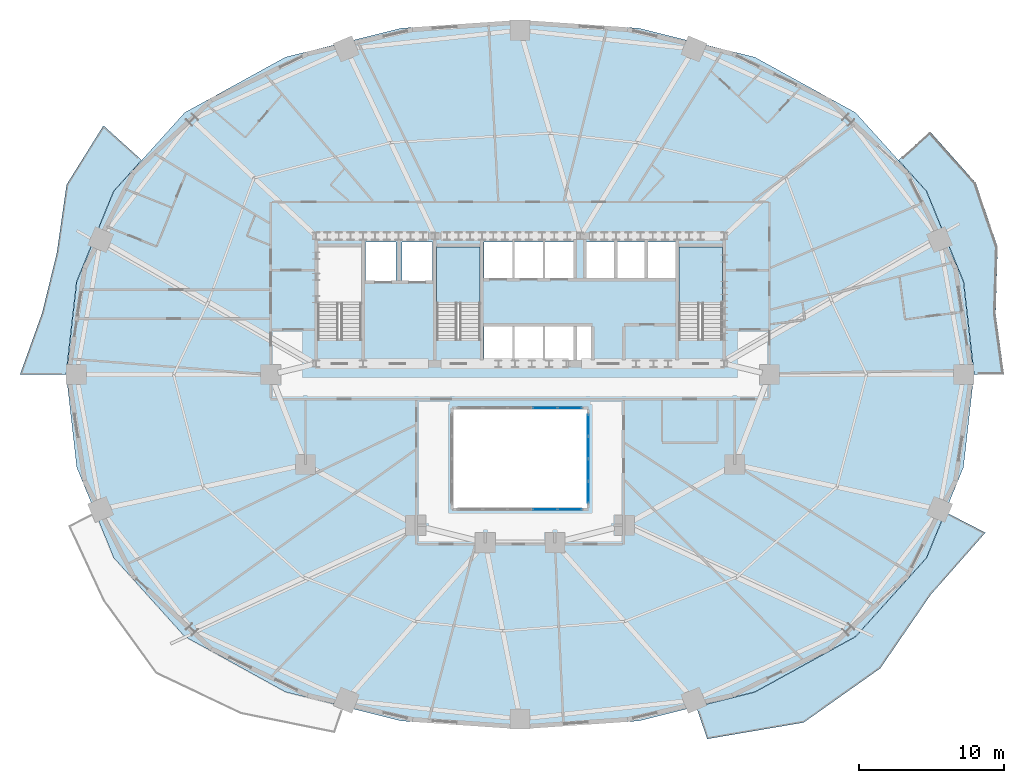
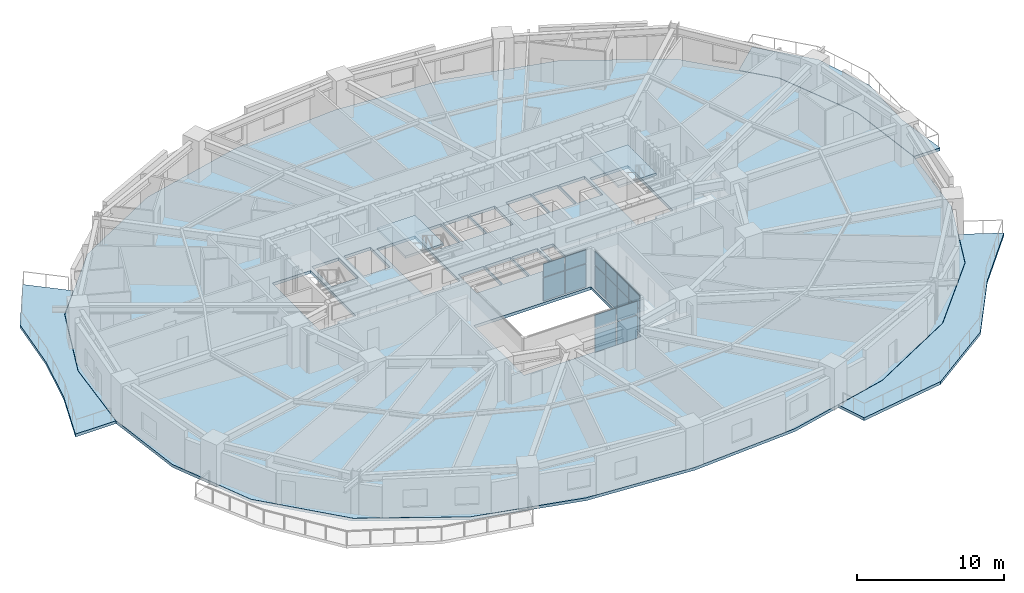
# One storey, part 8 of 17: 16 plates, 6 slabs, 5 elements without a shape of their own.
"""IFC4 building model written with IfcOpenShell, lengths in metres."""

from ifc_helpers import new_model, si_unit, direction, frame, origin, origin_2d, place, context, subcontext, project, spatial, polyline, rectangle, outline, extrude, material, layer, layer_set, type_object, element, aggregate, save


model = new_model("IFC4")

# Units and contexts
model_context = context("Model", 3, precision=1e-05, world=origin(), true_north=direction((0.0, 1.0)))
body_context = subcontext(model_context, "Body", "Model", "MODEL_VIEW")
ifc_project = project(units=[si_unit("LENGTHUNIT", "METRE"), si_unit("AREAUNIT", "SQUARE_METRE"), si_unit("VOLUMEUNIT", "CUBIC_METRE"), si_unit("PLANEANGLEUNIT", "RADIAN"), si_unit("MASSUNIT", "GRAM", prefix="KILO")], contexts=[model_context])

# Site, building, storey
site_placement = place(None, origin())
site = spatial("IfcSite", under=ifc_project, at=site_placement, CompositionType="ELEMENT")
building_placement = place(site_placement, origin())
building = spatial("IfcBuilding", under=site, at=building_placement, Name="Haldorwick Loom Tower", CompositionType="ELEMENT")
storey_placement = place(building_placement, frame((0.0, 0.0, 34.35009765625)))
storey = spatial("IfcBuildingStorey", under=building, at=storey_placement, Name="L08", CompositionType="ELEMENT", Elevation=34.35009765625)

# Curtain wall, plates
ifc_material_1 = material(Name="Thermally Broken Anodized Aluminium Curtain Wall Framing", Category="aluminium")
curtain_wall_type = type_object("IfcCurtainWallType", Name="ARC-CW-03", PredefinedType="NOTDEFINED", material=ifc_material_1)
curtain_wall_1_placement = place(storey_placement, origin())
curtain_wall_1 = element("IfcCurtainWall", 1, at=curtain_wall_1_placement, inside=storey, type_object=curtain_wall_type, Name="L08 Atrium Glazed Screen S", PredefinedType="NOTDEFINED")
ifc_material_2 = material(Name="Triple-Glazed Low-E Argon Insulated Glazing Unit", Category="glass")
ifc_layer_1 = layer(ifc_material_2, 0.04296875, Name="Triple-Glazed Low-E Argon Insulated Glazing Unit", Category="glass")
ifc_layer_set_1 = layer_set([ifc_layer_1], Name="Triple-Glazed Low-E Argon Insulated Glazing Unit")
plate_type = type_object("IfcPlateType", Name="ARC-CWP-03", PredefinedType="CURTAIN_PANEL", material=ifc_layer_set_1)
plate_1_placement = place(storey_placement, frame((39.423583984375, 16.699951171875, 0.06591796875), z_axis=(0.0, 0.0, 1.0), x_axis=(-1.0, 0.0, 0.0)))
plate_1 = element("IfcPlate", 2, at=plate_1_placement, type_object=plate_type, Name="CW-03 panel 1.1", PredefinedType="CURTAIN_PANEL", context=body_context, shape_type="SweptSolid", body=[
    extrude(rectangle(XDim=1.62109375, YDim=0.04296875, at=origin_2d()), origin(), (0.0, 0.0, 1.0), 1.90087890625),
])
plate_2_placement = place(storey_placement, frame((39.423583984375, 16.699951171875, 2.03271484375), z_axis=(0.0, 0.0, 1.0), x_axis=(-1.0, 0.0, 0.0)))
plate_2 = element("IfcPlate", 3, at=plate_2_placement, type_object=plate_type, Name="CW-03 panel 1.2", PredefinedType="CURTAIN_PANEL", context=body_context, shape_type="SweptSolid", body=[
    extrude(rectangle(XDim=1.62109375, YDim=0.04296875, at=origin_2d()), origin(), (0.0, 0.0, 1.0), 1.111083984375),
])
plate_3_placement = place(storey_placement, frame((37.719970703125, 16.699951171875, 0.06591796875), z_axis=(0.0, 0.0, 1.0), x_axis=(-1.0, 0.0, 0.0)))
plate_3 = element("IfcPlate", 4, at=plate_3_placement, type_object=plate_type, Name="CW-03 panel 2.1", PredefinedType="CURTAIN_PANEL", context=body_context, shape_type="SweptSolid", body=[
    extrude(rectangle(XDim=1.654052734375, YDim=0.04296875, at=origin_2d()), origin(), (0.0, 0.0, 1.0), 1.90087890625),
])
plate_4_placement = place(storey_placement, frame((37.719970703125, 16.699951171875, 2.03271484375), z_axis=(0.0, 0.0, 1.0), x_axis=(-1.0, 0.0, 0.0)))
plate_4 = element("IfcPlate", 5, at=plate_4_placement, type_object=plate_type, Name="CW-03 panel 2.2", PredefinedType="CURTAIN_PANEL", context=body_context, shape_type="SweptSolid", body=[
    extrude(rectangle(XDim=1.654052734375, YDim=0.04296875, at=origin_2d()), origin(), (0.0, 0.0, 1.0), 1.111083984375),
])
aggregate(curtain_wall_1, [plate_1, plate_2, plate_3, plate_4])

curtain_wall_2_placement = place(storey_placement, origin())
curtain_wall_2 = element("IfcCurtainWall", 6, at=curtain_wall_2_placement, inside=storey, type_object=curtain_wall_type, Name="L08 Atrium Glazed Screen N", PredefinedType="NOTDEFINED")
plate_5_placement = place(storey_placement, frame((37.719970703125, 23.699951171875, 0.06591796875), z_axis=(0.0, 0.0, 1.0), x_axis=(1.0, 0.0, 0.0)))
plate_5 = element("IfcPlate", 7, at=plate_5_placement, type_object=plate_type, Name="CW-03 panel 4.1", PredefinedType="CURTAIN_PANEL", context=body_context, shape_type="SweptSolid", body=[
    extrude(rectangle(XDim=1.654052734375, YDim=0.04296875, at=origin_2d()), origin(), (0.0, 0.0, 1.0), 1.90087890625),
])
plate_6_placement = place(storey_placement, frame((37.719970703125, 23.699951171875, 2.03271484375), z_axis=(0.0, 0.0, 1.0), x_axis=(1.0, 0.0, 0.0)))
plate_6 = element("IfcPlate", 8, at=plate_6_placement, type_object=plate_type, Name="CW-03 panel 4.2", PredefinedType="CURTAIN_PANEL", context=body_context, shape_type="SweptSolid", body=[
    extrude(rectangle(XDim=1.654052734375, YDim=0.04296875, at=origin_2d()), origin(), (0.0, 0.0, 1.0), 1.111083984375),
])
plate_7_placement = place(storey_placement, frame((39.423583984375, 23.699951171875, 0.06591796875), z_axis=(0.0, 0.0, 1.0), x_axis=(1.0, 0.0, 0.0)))
plate_7 = element("IfcPlate", 9, at=plate_7_placement, type_object=plate_type, Name="CW-03 panel 5.1", PredefinedType="CURTAIN_PANEL", context=body_context, shape_type="SweptSolid", body=[
    extrude(rectangle(XDim=1.62109375, YDim=0.04296875, at=origin_2d()), origin(), (0.0, 0.0, 1.0), 1.90087890625),
])
plate_8_placement = place(storey_placement, frame((39.423583984375, 23.699951171875, 2.03271484375), z_axis=(0.0, 0.0, 1.0), x_axis=(1.0, 0.0, 0.0)))
plate_8 = element("IfcPlate", 10, at=plate_8_placement, type_object=plate_type, Name="CW-03 panel 5.2", PredefinedType="CURTAIN_PANEL", context=body_context, shape_type="SweptSolid", body=[
    extrude(rectangle(XDim=1.62109375, YDim=0.04296875, at=origin_2d()), origin(), (0.0, 0.0, 1.0), 1.111083984375),
])
aggregate(curtain_wall_2, [plate_5, plate_6, plate_7, plate_8])

curtain_wall_3_placement = place(storey_placement, origin())
curtain_wall_3 = element("IfcCurtainWall", 11, at=curtain_wall_3_placement, inside=storey, type_object=curtain_wall_type, Name="L08 Atrium Glazed Screen E", PredefinedType="NOTDEFINED")
plate_9_placement = place(storey_placement, frame((40.699951171875, 22.508544921875, 0.06591796875), z_axis=(0.0, 0.0, 1.0), x_axis=(0.0, -1.0, 0.0)))
plate_9 = element("IfcPlate", 12, at=plate_9_placement, type_object=plate_type, Name="CW-03 panel 1.1", PredefinedType="CURTAIN_PANEL", context=body_context, shape_type="SweptSolid", body=[
    extrude(rectangle(XDim=1.450927734375, YDim=0.04296875, at=origin_2d()), origin(), (0.0, 0.0, 1.0), 1.90087890625),
])
plate_10_placement = place(storey_placement, frame((40.699951171875, 22.508544921875, 2.03271484375), z_axis=(0.0, 0.0, 1.0), x_axis=(0.0, -1.0, 0.0)))
plate_10 = element("IfcPlate", 13, at=plate_10_placement, type_object=plate_type, Name="CW-03 panel 1.2", PredefinedType="CURTAIN_PANEL", context=body_context, shape_type="SweptSolid", body=[
    extrude(rectangle(XDim=1.450927734375, YDim=0.04296875, at=origin_2d()), origin(), (0.0, 0.0, 1.0), 1.111083984375),
])
plate_11_placement = place(storey_placement, frame((40.699951171875, 20.97509765625, 0.06591796875), z_axis=(0.0, 0.0, 1.0), x_axis=(0.0, -1.0, 0.0)))
plate_11 = element("IfcPlate", 14, at=plate_11_placement, type_object=plate_type, Name="CW-03 panel 2.1", PredefinedType="CURTAIN_PANEL", context=body_context, shape_type="SweptSolid", body=[
    extrude(rectangle(XDim=1.48388671875, YDim=0.04296875, at=origin_2d()), origin(), (0.0, 0.0, 1.0), 1.90087890625),
])
plate_12_placement = place(storey_placement, frame((40.699951171875, 20.97509765625, 2.03271484375), z_axis=(0.0, 0.0, 1.0), x_axis=(0.0, -1.0, 0.0)))
plate_12 = element("IfcPlate", 15, at=plate_12_placement, type_object=plate_type, Name="CW-03 panel 2.2", PredefinedType="CURTAIN_PANEL", context=body_context, shape_type="SweptSolid", body=[
    extrude(rectangle(XDim=1.48388671875, YDim=0.04296875, at=origin_2d()), origin(), (0.0, 0.0, 1.0), 1.111083984375),
])
plate_13_placement = place(storey_placement, frame((40.699951171875, 19.425048828125, 0.06591796875), z_axis=(0.0, 0.0, 1.0), x_axis=(0.0, -1.0, 0.0)))
plate_13 = element("IfcPlate", 16, at=plate_13_placement, type_object=plate_type, Name="CW-03 panel 3.1", PredefinedType="CURTAIN_PANEL", context=body_context, shape_type="SweptSolid", body=[
    extrude(rectangle(XDim=1.48388671875, YDim=0.04296875, at=origin_2d()), origin(), (0.0, 0.0, 1.0), 1.90087890625),
])
plate_14_placement = place(storey_placement, frame((40.699951171875, 19.425048828125, 2.03271484375), z_axis=(0.0, 0.0, 1.0), x_axis=(0.0, -1.0, 0.0)))
plate_14 = element("IfcPlate", 17, at=plate_14_placement, type_object=plate_type, Name="CW-03 panel 3.2", PredefinedType="CURTAIN_PANEL", context=body_context, shape_type="SweptSolid", body=[
    extrude(rectangle(XDim=1.48388671875, YDim=0.04296875, at=origin_2d()), origin(), (0.0, 0.0, 1.0), 1.111083984375),
])
plate_15_placement = place(storey_placement, frame((40.699951171875, 17.8916015625, 0.06591796875), z_axis=(0.0, 0.0, 1.0), x_axis=(0.0, -1.0, 0.0)))
plate_15 = element("IfcPlate", 18, at=plate_15_placement, type_object=plate_type, Name="CW-03 panel 4.1", PredefinedType="CURTAIN_PANEL", context=body_context, shape_type="SweptSolid", body=[
    extrude(rectangle(XDim=1.450927734375, YDim=0.04296875, at=origin_2d()), origin(), (0.0, 0.0, 1.0), 1.90087890625),
])
plate_16_placement = place(storey_placement, frame((40.699951171875, 17.8916015625, 2.03271484375), z_axis=(0.0, 0.0, 1.0), x_axis=(0.0, -1.0, 0.0)))
plate_16 = element("IfcPlate", 19, at=plate_16_placement, type_object=plate_type, Name="CW-03 panel 4.2", PredefinedType="CURTAIN_PANEL", context=body_context, shape_type="SweptSolid", body=[
    extrude(rectangle(XDim=1.450927734375, YDim=0.04296875, at=origin_2d()), origin(), (0.0, 0.0, 1.0), 1.111083984375),
])
aggregate(curtain_wall_3, [plate_9, plate_10, plate_11, plate_12, plate_13, plate_14, plate_15, plate_16])

# Slabs
ifc_material_3 = material(Name="Concrete C40 (40 MPa)", Category="concrete")
ifc_layer_2 = layer(ifc_material_3, 0.239990234375, Name="Concrete C40 (40 MPa)", Category="concrete")
ifc_layer_set_2 = layer_set([ifc_layer_2], Name="Concrete C40 (40 MPa)")
slab_type_1 = type_object("IfcSlabType", Name="STR-SLB-BAL240", PredefinedType="FLOOR", material=ifc_layer_set_2)
slab_1_placement = place(storey_placement, frame((0.0, 0.0, -0.239990234375)))
element("IfcSlab", 20, at=slab_1_placement, inside=storey, type_object=slab_type_1, Name="L08 Sinusoidal Balcony Terrace BAL_SE", PredefinedType="FLOOR", context=body_context, shape_type="SweptSolid", body=[
    extrude(outline(polyline([(65.324462890625, 16.517333984375), (64.031494140625, 13.356689453125), (64.031005859375, 13.355712890625), (64.030517578125, 13.3544921875), (64.02978515625, 13.353515625), (64.02880859375, 13.3525390625), (59.13623046875, 7.92333984375), (59.13525390625, 7.922119140625), (59.1337890625, 7.921142578125), (59.13232421875, 7.92041015625), (52.18310546875, 4.09814453125), (52.18212890625, 4.097412109375), (52.180908203125, 4.096923828125), (52.1796875, 4.0966796875), (48.152587890625, 3.09130859375), (48.90283203125, 0.873046875), (55.558837890625, 2.0087890625), (60.8359375, 5.743896484375), (64.298095703125, 10.80224609375), (68.083740234375, 15.09716796875), (65.324462890625, 16.517333984375)])), origin(), (0.0, 0.0, 1.0), 0.239990234375),
])
slab_2_placement = place(storey_placement, frame((0.0, 0.0, -0.239990234375)))
element("IfcSlab", 21, at=slab_2_placement, inside=storey, type_object=slab_type_1, Name="L08 Sinusoidal Balcony Terrace BAL_WNW", PredefinedType="FLOOR", context=body_context, shape_type="SweptSolid", body=[
    extrude(outline(polyline([(4.68896484375, 26.0), (4.689208984375, 26.001708984375), (5.41552734375, 32.40087890625), (5.415771484375, 32.40234375), (5.416015625, 32.40380859375), (5.41650390625, 32.405029296875), (7.968505859375, 38.643310546875), (7.968994140625, 38.644287109375), (7.969482421875, 38.6455078125), (7.97021484375, 38.646484375), (7.97119140625, 38.6474609375), (9.901611328125, 40.789794921875), (7.270751953125, 43.16943359375), (4.729736328125, 39.09912109375), (4.054443359375, 34.3876953125), (3.037353515625, 30.230224609375), (1.515625, 26.0), (4.68896484375, 26.0)])), origin(), (0.0, 0.0, 1.0), 0.239990234375),
])
slab_3_placement = place(storey_placement, frame((0.0, 0.0, -0.239990234375)))
element("IfcSlab", 22, at=slab_3_placement, inside=storey, type_object=slab_type_1, Name="L08 Sinusoidal Balcony Terrace BAL_ENE", PredefinedType="FLOOR", context=body_context, shape_type="SweptSolid", body=[
    extrude(outline(polyline([(62.0986328125, 40.78955078125), (64.02880859375, 38.6474609375), (64.02978515625, 38.646484375), (64.030517578125, 38.6455078125), (64.031005859375, 38.644287109375), (64.031494140625, 38.643310546875), (66.58349609375, 32.405029296875), (66.583984375, 32.40380859375), (66.584228515625, 32.40234375), (66.58447265625, 32.40087890625), (67.310791015625, 26.001708984375), (67.31103515625, 26.0), (69.36767578125, 26.0), (68.79150390625, 30.195556640625), (68.92626953125, 34.795654296875), (67.42822265625, 39.202392578125), (64.275146484375, 42.747314453125), (62.0986328125, 40.78955078125)])), origin(), (0.0, 0.0, 1.0), 0.239990234375),
])

# Stair, slab
stair_type = type_object("IfcStairType", Name="STR-STR-CORE", PredefinedType="HALF_TURN_STAIR", material=ifc_material_3)
stair_1_placement = place(storey_placement, origin())
stair_1 = element("IfcStair", 23, at=stair_1_placement, inside=storey, type_object=stair_type, Name="L08 Exit Stair ST-02", PredefinedType="HALF_TURN_STAIR")
ifc_layer_3 = layer(ifc_material_3, 0.199951171875, Name="Concrete C40 (40 MPa)", Category="concrete")
ifc_layer_set_3 = layer_set([ifc_layer_3], Name="Concrete C40 (40 MPa)")
slab_type_2 = type_object("IfcSlabType", Name="STR-SLB-LAND200", PredefinedType="LANDING", material=ifc_layer_set_3)
slab_4_placement = place(storey_placement, frame((0.0, 0.0, 1.52490234375)))
slab_4 = element("IfcSlab", 24, at=slab_4_placement, type_object=slab_type_2, Name="ST-02 landing 1", PredefinedType="LANDING", context=body_context, shape_type="SweptSolid", body=[
    extrude(outline(polyline([(49.949951171875, 30.919921875), (49.949951171875, 34.800048828125), (46.949951171875, 34.800048828125), (46.949951171875, 30.919921875), (49.949951171875, 30.919921875)])), origin(), (0.0, 0.0, 1.0), 0.199951171875),
])
aggregate(stair_1, [slab_4])

stair_2_placement = place(storey_placement, origin())
stair_2 = element("IfcStair", 25, at=stair_2_placement, inside=storey, type_object=stair_type, Name="L08 Exit Stair ST-03", PredefinedType="HALF_TURN_STAIR")
slab_5_placement = place(storey_placement, frame((0.0, 0.0, 1.52490234375)))
slab_5 = element("IfcSlab", 26, at=slab_5_placement, type_object=slab_type_2, Name="ST-03 landing 1", PredefinedType="LANDING", context=body_context, shape_type="SweptSolid", body=[
    extrude(outline(polyline([(33.25, 30.919921875), (33.25, 34.800048828125), (30.25, 34.800048828125), (30.25, 30.919921875), (33.25, 30.919921875)])), origin(), (0.0, 0.0, 1.0), 0.199951171875),
])
aggregate(stair_2, [slab_5])

# Slab
ifc_layer_4 = layer(ifc_material_3, 0.239990234375, Name="Concrete C40 (40 MPa)", Category="concrete")
ifc_layer_set_4 = layer_set([ifc_layer_4], Name="Concrete C40 (40 MPa)")
slab_type_3 = type_object("IfcSlabType", Name="STR-SLB-RES240", PredefinedType="FLOOR", material=ifc_layer_set_4)
slab_6_placement = place(storey_placement, frame((0.0, 0.0, -0.239990234375)))
element("IfcSlab", 27, at=slab_6_placement, inside=storey, type_object=slab_type_3, Name="L08 Residential Structural Floor Slab", PredefinedType="FLOOR", context=body_context, shape_type="SweptSolid", body=[
    extrude(outline(polyline([(59.125244140625, 7.933349609375), (64.017578125, 13.362548828125), (66.569580078125, 19.6005859375), (67.2958984375, 26.0), (66.569580078125, 32.3994140625), (64.017578125, 38.637451171875), (59.125244140625, 44.066650390625), (52.176025390625, 47.888916015625), (44.191162109375, 49.882568359375), (36.0, 50.449951171875), (27.808837890625, 49.882568359375), (19.823974609375, 47.888916015625), (12.874755859375, 44.066650390625), (7.982421875, 38.637451171875), (5.430419921875, 32.3994140625), (4.7041015625, 26.0), (5.430419921875, 19.6005859375), (7.982421875, 13.362548828125), (12.874755859375, 7.933349609375), (19.823974609375, 4.111083984375), (27.808837890625, 2.117431640625), (36.0, 1.550048828125), (44.191162109375, 2.117431640625), (52.176025390625, 4.111083984375), (59.125244140625, 7.933349609375)]), holes=[polyline([(31.39990234375, 23.60009765625), (40.60009765625, 23.60009765625), (40.60009765625, 16.800048828125), (31.39990234375, 16.800048828125), (31.39990234375, 23.60009765625)]), polyline([(33.5, 26.85009765625), (33.5, 29.35009765625), (35.5, 29.35009765625), (35.5, 26.85009765625), (33.5, 26.85009765625)]), polyline([(22.050048828125, 28.39990234375), (22.050048828125, 34.800048828125), (25.050048828125, 34.800048828125), (25.050048828125, 28.639892578125), (23.6201171875, 28.639892578125), (23.6201171875, 28.39990234375), (22.050048828125, 28.39990234375)]), polyline([(30.25, 28.39990234375), (30.25, 34.800048828125), (33.25, 34.800048828125), (33.25, 28.639892578125), (31.820068359375, 28.639892578125), (31.820068359375, 28.39990234375), (30.25, 28.39990234375)]), polyline([(25.35009765625, 32.449951171875), (25.35009765625, 35.14990234375), (27.449951171875, 35.14990234375), (27.449951171875, 32.449951171875), (25.35009765625, 32.449951171875)]), polyline([(27.85009765625, 32.449951171875), (27.85009765625, 35.14990234375), (29.949951171875, 35.14990234375), (29.949951171875, 32.449951171875), (27.85009765625, 32.449951171875)]), polyline([(33.5, 32.64990234375), (33.5, 35.14990234375), (35.5, 35.14990234375), (35.5, 32.64990234375), (33.5, 32.64990234375)]), polyline([(35.60009765625, 32.64990234375), (35.60009765625, 35.14990234375), (37.60009765625, 35.14990234375), (37.60009765625, 32.64990234375), (35.60009765625, 32.64990234375)]), polyline([(35.60009765625, 26.85009765625), (35.60009765625, 29.35009765625), (37.60009765625, 29.35009765625), (37.60009765625, 26.85009765625), (35.60009765625, 26.85009765625)]), polyline([(37.699951171875, 26.85009765625), (37.699951171875, 29.35009765625), (39.699951171875, 29.35009765625), (39.699951171875, 26.85009765625), (37.699951171875, 26.85009765625)]), polyline([(39.89990234375, 26.89990234375), (39.89990234375, 29.300048828125), (40.89990234375, 29.300048828125), (40.89990234375, 26.89990234375), (39.89990234375, 26.89990234375)]), polyline([(46.949951171875, 28.39990234375), (46.949951171875, 34.800048828125), (49.949951171875, 34.800048828125), (49.949951171875, 28.639892578125), (48.52001953125, 28.639892578125), (48.52001953125, 28.39990234375), (46.949951171875, 28.39990234375)]), polyline([(37.699951171875, 32.64990234375), (37.699951171875, 35.14990234375), (39.699951171875, 35.14990234375), (39.699951171875, 32.64990234375), (37.699951171875, 32.64990234375)]), polyline([(40.550048828125, 32.64990234375), (40.550048828125, 35.14990234375), (42.550048828125, 35.14990234375), (42.550048828125, 32.64990234375), (40.550048828125, 32.64990234375)]), polyline([(42.64990234375, 32.64990234375), (42.64990234375, 35.14990234375), (44.64990234375, 35.14990234375), (44.64990234375, 32.64990234375), (42.64990234375, 32.64990234375)]), polyline([(44.75, 32.64990234375), (44.75, 35.14990234375), (46.75, 35.14990234375), (46.75, 32.64990234375), (44.75, 32.64990234375)])]), origin(), (0.0, 0.0, 1.0), 0.239990234375),
])

save(model, "model.ifc")
